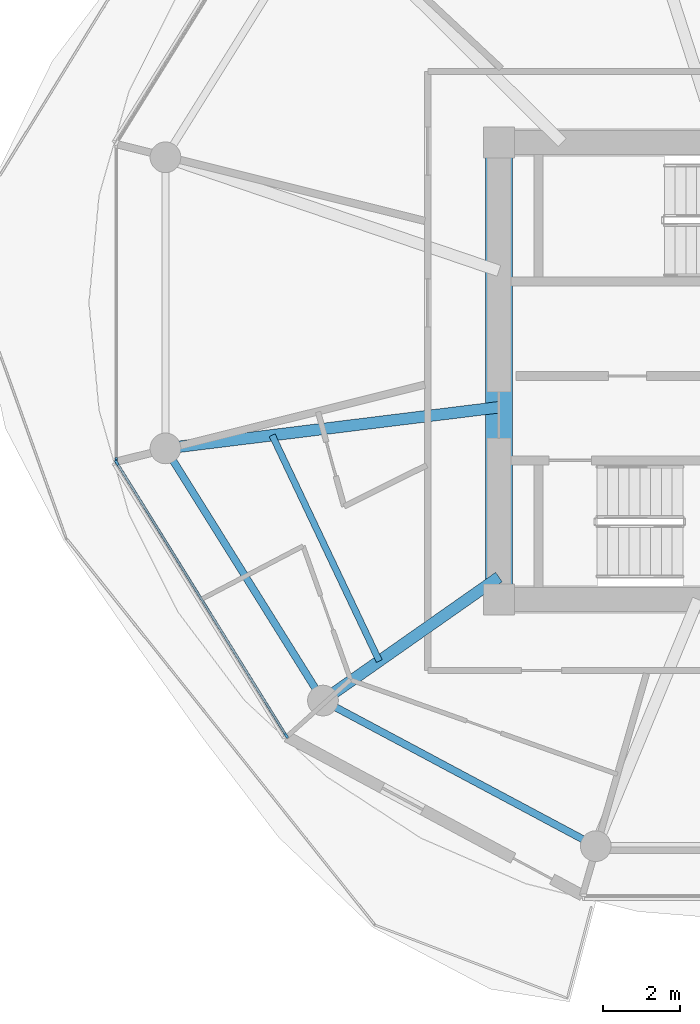
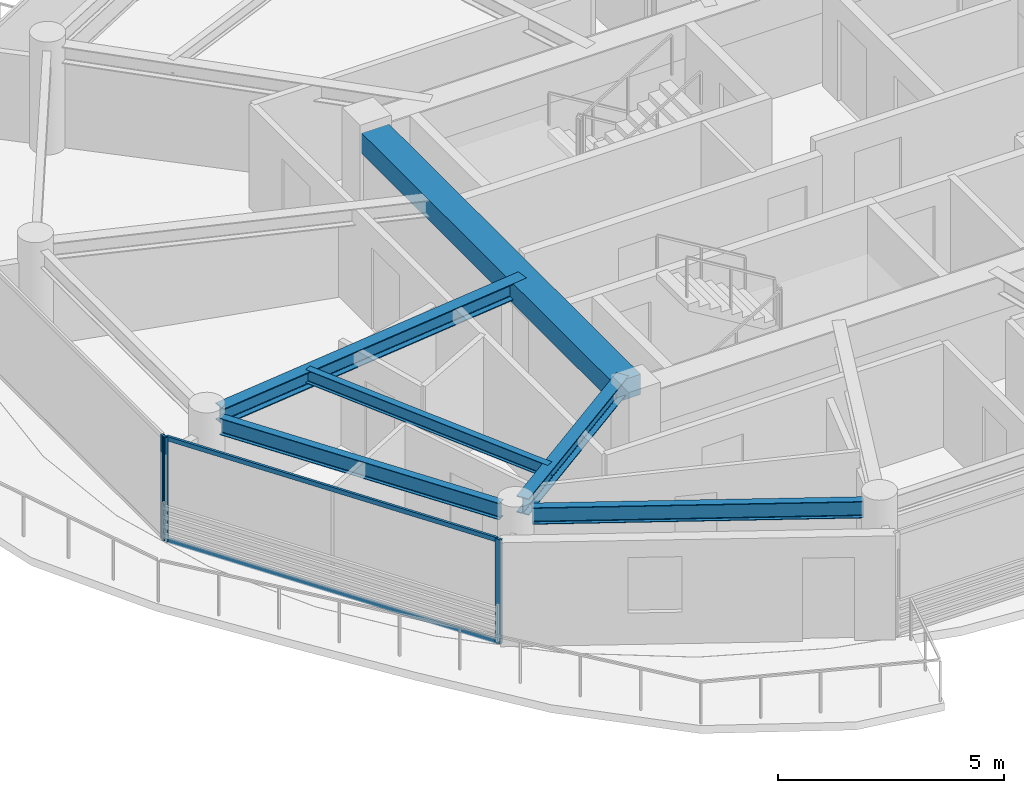
# One storey, part 6 of 22: 6 beams, 5 members, 2 elements without a shape of their own.
"""IFC4 building model written with IfcOpenShell, lengths in metres."""

from ifc_helpers import new_model, si_unit, direction, frame, origin, origin_2d, place, context, subcontext, project, spatial, rectangle, i_section, extrude, source, transform, mapped, material, layer, layer_set, material_profile, profile_set, type_object, type_shapes, element, aggregate, save


model = new_model("IFC4")

# Units and contexts
model_context = context("Model", 3, precision=1e-05, world=origin(), true_north=direction((0.0, 1.0)))
body_context = subcontext(model_context, "Body", "Model", "MODEL_VIEW")
ifc_project = project(units=[si_unit("LENGTHUNIT", "METRE"), si_unit("AREAUNIT", "SQUARE_METRE"), si_unit("VOLUMEUNIT", "CUBIC_METRE"), si_unit("PLANEANGLEUNIT", "RADIAN"), si_unit("MASSUNIT", "GRAM", prefix="KILO")], contexts=[model_context])

# Site, building, storey
site_placement = place(None, origin())
site = spatial("IfcSite", under=ifc_project, at=site_placement, CompositionType="ELEMENT")
building_placement = place(site_placement, origin())
building = spatial("IfcBuilding", under=site, at=building_placement, Name="Norrkilde Senior Care Towers", CompositionType="ELEMENT")
storey_placement = place(building_placement, frame((0.0, 0.0, 137.35009765625)))
storey = spatial("IfcBuildingStorey", under=building, at=storey_placement, Name="L42", CompositionType="ELEMENT", Elevation=137.35009765625)

# Beams
ifc_material_1 = material(Name="Concrete C60/75", Category="concrete")
ifc_material_profile_1 = material_profile(ifc_material_1, rectangle(XDim=0.699951171875, YDim=0.550048828125, at=origin_2d()), Name="RC BM 700x550")
ifc_profile_set_1 = profile_set([ifc_material_profile_1], Name="Concrete C60/75")
beam_type_1 = type_object("IfcBeamType", Name="Core Portal Coupling Beam 700x550", PredefinedType="USERDEFINED", material=ifc_profile_set_1)
shared_shape_1 = source(origin(), body_context, "Body", "SweptSolid", [
    extrude(rectangle(XDim=0.699951171875, YDim=0.550048828125, at=origin_2d()), origin(), (0.0, 0.0, 1.0), 11.14013671875),
])
type_shapes(beam_type_1, [shared_shape_1])
beam_1_placement = place(storey_placement, frame((20.35009765625, -5.570068359375, 2.534912109375), z_axis=(0.0, 1.0, 0.0), x_axis=(-1.0, 0.0, 0.0)))
element("IfcBeam", 1, at=beam_1_placement, inside=storey, type_object=beam_type_1, Name="L42 Core E W Coupling Girder", ObjectType="GIRDER", PredefinedType="USERDEFINED", context=body_context, shape_type="MappedRepresentation", body=[
    mapped(shared_shape_1, transform((0.0, 0.0, 0.0), x_axis=(1.0, 0.0, 0.0), y_axis=(0.0, 1.0, 0.0), z_axis=(0.0, 0.0, 1.0), scale=1.0)),
])
ifc_material_2 = material(Name="Steel S355", Category="steel")
ifc_material_profile_2 = material_profile(ifc_material_2, i_section(OverallWidth=0.18994140625, OverallDepth=0.449951171875, WebThickness=0.009521484375, FlangeThickness=0.0146484375, FilletRadius=0.02099609375, at=origin_2d()), Name="IPE 450")
ifc_profile_set_2 = profile_set([ifc_material_profile_2], Name="Steel S355")
beam_type_2 = type_object("IfcBeamType", Name="Perimeter Ring Spandrel Z3 IPE450", PredefinedType="SPANDREL", material=ifc_profile_set_2)
shared_shape_2 = source(origin(), body_context, "Body", "SweptSolid", [
    extrude(i_section(OverallWidth=0.18994140625, OverallDepth=0.449951171875, WebThickness=0.009521484375, FlangeThickness=0.0146484375, FilletRadius=0.02099609375, at=origin_2d()), origin(), (0.0, 0.0, 1.0), 7.023193359375),
])
beam_2_placement = place(storey_placement, frame((11.855712890625, -2.32177734375, 2.5849609375), z_axis=(0.529805197269, -0.848119362441, 0.0), x_axis=(0.848119362441, 0.529805197269, 0.0)))
element("IfcBeam", 2, at=beam_2_placement, inside=storey, type_object=beam_type_2, Name="L42 Drum E Perimeter Spandrel 07", PredefinedType="SPANDREL", context=body_context, shape_type="MappedRepresentation", body=[
    mapped(shared_shape_2, transform((0.0, 0.0, 0.0), x_axis=(1.0, 0.0, 0.0), y_axis=(0.0, 1.0, 0.0), z_axis=(0.0, 0.0, 1.0), scale=1.0)),
])
shared_shape_3 = source(origin(), body_context, "Body", "SweptSolid", [
    extrude(i_section(OverallWidth=0.18994140625, OverallDepth=0.449951171875, WebThickness=0.009521484375, FlangeThickness=0.0146484375, FilletRadius=0.02099609375, at=origin_2d()), origin(), (0.0, 0.0, 1.0), 7.333984375),
])
type_shapes(beam_type_2, [shared_shape_2, shared_shape_3])
beam_3_placement = place(storey_placement, frame((16.0849609375, -8.753173828125, 2.5849609375), z_axis=(0.882234038987, -0.470811109101, 0.0), x_axis=(0.470811109101, 0.882234038987, 0.0)))
element("IfcBeam", 3, at=beam_3_placement, inside=storey, type_object=beam_type_2, Name="L42 Drum E Perimeter Spandrel 08", PredefinedType="SPANDREL", context=body_context, shape_type="MappedRepresentation", body=[
    mapped(shared_shape_3, transform((0.0, 0.0, 0.0), x_axis=(1.0, 0.0, 0.0), y_axis=(0.0, 1.0, 0.0), z_axis=(0.0, 0.0, 1.0), scale=1.0)),
])
ifc_material_profile_3 = material_profile(ifc_material_2, i_section(OverallWidth=0.300048828125, OverallDepth=0.449951171875, WebThickness=0.013916015625, FlangeThickness=0.02587890625, FilletRadius=0.027099609375, at=origin_2d()), Name="HEB 450")
ifc_profile_set_3 = profile_set([ifc_material_profile_3], Name="Steel S355")
beam_type_3 = type_object("IfcBeamType", Name="Radial Floor Beam Z3 HEB450", PredefinedType="BEAM", material=ifc_profile_set_3)
shared_shape_4 = source(origin(), body_context, "Body", "SweptSolid", [
    extrude(i_section(OverallWidth=0.300048828125, OverallDepth=0.449951171875, WebThickness=0.013916015625, FlangeThickness=0.02587890625, FilletRadius=0.027099609375, at=origin_2d()), origin(), (0.0, 0.0, 1.0), 5.23828125),
])
beam_4_placement = place(storey_placement, frame((20.35009765625, -5.3681640625, 2.5849609375), z_axis=(-0.818592061291, -0.574375345215, 0.0), x_axis=(0.574375345215, -0.818592061291, 0.0)))
element("IfcBeam", 4, at=beam_4_placement, inside=storey, type_object=beam_type_3, Name="L42 Drum E Radial Floor Beam 08", PredefinedType="BEAM", context=body_context, shape_type="MappedRepresentation", body=[
    mapped(shared_shape_4, transform((0.0, 0.0, 0.0), x_axis=(1.0, 0.0, 0.0), y_axis=(0.0, 1.0, 0.0), z_axis=(0.0, 0.0, 1.0), scale=1.0)),
])
shared_shape_5 = source(origin(), body_context, "Body", "SweptSolid", [
    extrude(i_section(OverallWidth=0.300048828125, OverallDepth=0.449951171875, WebThickness=0.013916015625, FlangeThickness=0.02587890625, FilletRadius=0.027099609375, at=origin_2d()), origin(), (0.0, 0.0, 1.0), 8.390869140625),
])
type_shapes(beam_type_3, [shared_shape_4, shared_shape_5])
beam_5_placement = place(storey_placement, frame((20.35009765625, -0.9443359375, 2.5849609375), z_axis=(-0.99246916403, -0.122494728249, 0.0), x_axis=(0.122494728249, -0.99246916403, 0.0)))
element("IfcBeam", 5, at=beam_5_placement, inside=storey, type_object=beam_type_3, Name="L42 Drum E Radial Floor Beam 07", PredefinedType="BEAM", context=body_context, shape_type="MappedRepresentation", body=[
    mapped(shared_shape_5, transform((0.0, 0.0, 0.0), x_axis=(1.0, 0.0, 0.0), y_axis=(0.0, 1.0, 0.0), z_axis=(0.0, 0.0, 1.0), scale=1.0)),
])
ifc_material_profile_4 = material_profile(ifc_material_2, i_section(OverallWidth=0.169921875, OverallDepth=0.360107421875, WebThickness=0.008056640625, FlangeThickness=0.0126953125, FilletRadius=0.01806640625, at=origin_2d()), Name="IPE 360")
ifc_profile_set_4 = profile_set([ifc_material_profile_4], Name="Steel S355")
beam_type_4 = type_object("IfcBeamType", Name="Secondary Floor Joist IPE360", PredefinedType="JOIST", material=ifc_profile_set_4)
shared_shape_6 = source(origin(), body_context, "Body", "SweptSolid", [
    extrude(i_section(OverallWidth=0.169921875, OverallDepth=0.360107421875, WebThickness=0.008056640625, FlangeThickness=0.0126953125, FilletRadius=0.01806640625, at=origin_2d()), origin(), (0.0, 0.0, 1.0), 6.50927734375),
])
type_shapes(beam_type_4, [shared_shape_6])
beam_6_placement = place(storey_placement, frame((14.4443359375, -1.67333984375, 2.6298828125), z_axis=(0.428544169129, -0.90352083269, 0.0), x_axis=(0.90352083269, 0.428544169129, 0.0)))
element("IfcBeam", 6, at=beam_6_placement, inside=storey, type_object=beam_type_4, Name="L42 Drum E Secondary Floor Joist 3", PredefinedType="JOIST", context=body_context, shape_type="MappedRepresentation", body=[
    mapped(shared_shape_6, transform((0.0, 0.0, 0.0), x_axis=(1.0, 0.0, 0.0), y_axis=(0.0, 1.0, 0.0), z_axis=(0.0, 0.0, 1.0), scale=1.0)),
])

# Curtain wall, members
ifc_material_3 = material(Name="Triple Low-E Insulated Glazing", Category="glass")
ifc_layer = layer(ifc_material_3, 0.18994140625)
ifc_layer_set = layer_set([ifc_layer], Name="Triple Low-E Insulated Glazing")
curtain_wall_type = type_object("IfcCurtainWallType", Name="CW4 Zone 3 Senior Residence Curtain Wall", PredefinedType="NOTDEFINED", material=ifc_layer_set)
curtain_wall_1_placement = place(storey_placement, origin())
curtain_wall_1 = element("IfcCurtainWall", 7, at=curtain_wall_1_placement, inside=storey, type_object=curtain_wall_type, Name="L42 Drum E Curtain Wall 06", PredefinedType="NOTDEFINED")
ifc_material_4 = material(Name="Anodised Aluminium", Category="aluminium")
ifc_material_profile_5 = material_profile(ifc_material_4, rectangle(XDim=0.06005859375, YDim=0.1201171875, at=origin_2d()), Name="ALU TRAN 60x120")
ifc_profile_set_5 = profile_set([ifc_material_profile_5], Name="Anodised Aluminium")
member_type_1 = type_object("IfcMemberType", Name="Curtain Wall Transom Typical 60x120", PredefinedType="USERDEFINED", material=ifc_profile_set_5)
shared_shape_7 = source(origin(), body_context, "Body", "SweptSolid", [
    extrude(rectangle(XDim=0.06005859375, YDim=0.1201171875, at=origin_2d()), origin(), (0.0, 0.0, 1.0), 8.301513671875),
])
type_shapes(member_type_1, [shared_shape_7])
member_1_placement = place(storey_placement, frame((14.792724609375, -9.468994140625, 0.02978515625), z_axis=(-0.527368718394, 0.849636531029, 0.0), x_axis=(-0.849636531029, -0.527368718394, 0.0)))
member_1 = element("IfcMember", 8, at=member_1_placement, type_object=member_type_1, Name="CW-4 transom 1.1", ObjectType="TRANSOM", PredefinedType="USERDEFINED", context=body_context, shape_type="MappedRepresentation", body=[
    mapped(shared_shape_7, transform((0.0, 0.0, 0.0), x_axis=(1.0, 0.0, 0.0), y_axis=(0.0, 1.0, 0.0), z_axis=(0.0, 0.0, 1.0), scale=1.0)),
])
member_2_placement = place(storey_placement, frame((14.792724609375, -9.468994140625, 2.77978515625), z_axis=(-0.527368718394, 0.849636531029, 0.0), x_axis=(-0.849636531029, -0.527368718394, 0.0)))
member_2 = element("IfcMember", 9, at=member_2_placement, type_object=member_type_1, Name="CW-4 transom 1.2", ObjectType="TRANSOM", PredefinedType="USERDEFINED", context=body_context, shape_type="MappedRepresentation", body=[
    mapped(shared_shape_7, transform((0.0, 0.0, 0.0), x_axis=(1.0, 0.0, 0.0), y_axis=(0.0, 1.0, 0.0), z_axis=(0.0, 0.0, 1.0), scale=1.0)),
])

# Curtain wall, member
curtain_wall_2_placement = place(storey_placement, origin())
curtain_wall_2 = element("IfcCurtainWall", 10, at=curtain_wall_2_placement, inside=storey, type_object=curtain_wall_type, Name="L42 Drum E Curtain Wall 05", PredefinedType="NOTDEFINED")
ifc_material_profile_6 = material_profile(ifc_material_4, rectangle(XDim=0.06494140625, YDim=0.14990234375, at=origin_2d()), Name="ALU MULL 65x150")
ifc_profile_set_6 = profile_set([ifc_material_profile_6], Name="Anodised Aluminium")
member_type_2 = type_object("IfcMemberType", Name="Curtain Wall Mullion Z3-Z4 65x150", PredefinedType="MULLION", material=ifc_profile_set_6)
shared_shape_8 = source(origin(), body_context, "Body", "SweptSolid", [
    extrude(rectangle(XDim=0.06494140625, YDim=0.14990234375, at=origin_2d()), origin(), (0.0, 0.0, 1.0), 2.809814453125),
])
type_shapes(member_type_2, [shared_shape_8])
member_3_placement = place(storey_placement, frame((10.38037109375, -2.328125, 0.0), z_axis=(0.0, 0.0, 1.0), x_axis=(-1.0, 0.0, 0.0)))
member_3 = element("IfcMember", 11, at=member_3_placement, type_object=member_type_2, Name="CW-4 mullion 1", PredefinedType="MULLION", context=body_context, shape_type="MappedRepresentation", body=[
    mapped(shared_shape_8, transform((0.0, 0.0, 0.0), x_axis=(1.0, 0.0, 0.0), y_axis=(0.0, 1.0, 0.0), z_axis=(0.0, 0.0, 1.0), scale=1.0)),
])
aggregate(curtain_wall_2, [member_3])

# Member
member_4_placement = place(storey_placement, frame((14.809814453125, -9.49658203125, 0.0), z_axis=(0.0, 0.0, 1.0), x_axis=(-0.84963405474, -0.52737270789, 0.0)))
member_4 = element("IfcMember", 12, at=member_4_placement, type_object=member_type_2, Name="CW-4 mullion 1", PredefinedType="MULLION", context=body_context, shape_type="MappedRepresentation", body=[
    mapped(shared_shape_8, transform((0.0, 0.0, 0.0), x_axis=(1.0, 0.0, 0.0), y_axis=(0.0, 1.0, 0.0), z_axis=(0.0, 0.0, 1.0), scale=1.0)),
])

member_5_placement = place(storey_placement, frame((10.3974609375, -2.38818359375, 0.0), z_axis=(0.0, 0.0, 1.0), x_axis=(-0.84963405474, -0.52737270789, 0.0)))
member_5 = element("IfcMember", 13, at=member_5_placement, type_object=member_type_2, Name="CW-4 mullion 2", PredefinedType="MULLION", context=body_context, shape_type="MappedRepresentation", body=[
    mapped(shared_shape_8, transform((0.0, 0.0, 0.0), x_axis=(1.0, 0.0, 0.0), y_axis=(0.0, 1.0, 0.0), z_axis=(0.0, 0.0, 1.0), scale=1.0)),
])

aggregate(curtain_wall_1, [member_4, member_5, member_1, member_2])

save(model, "model.ifc")
